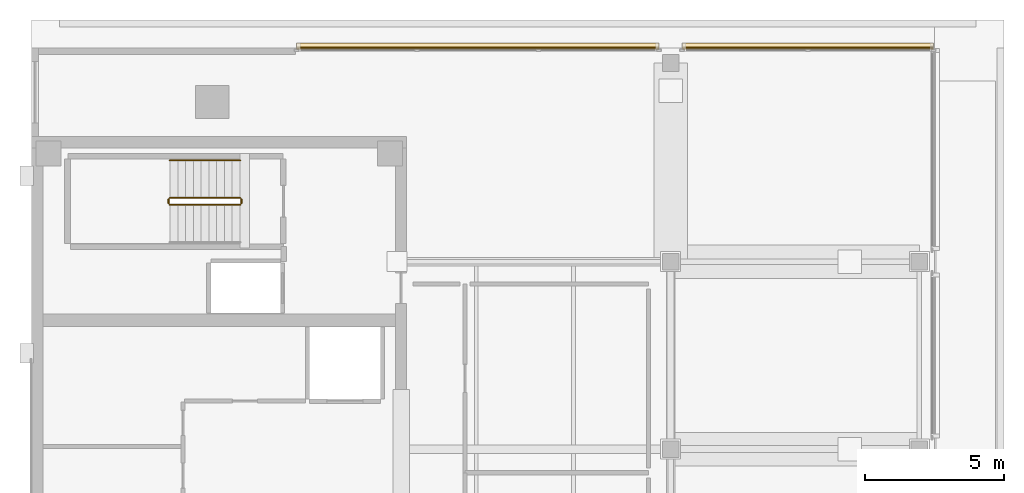
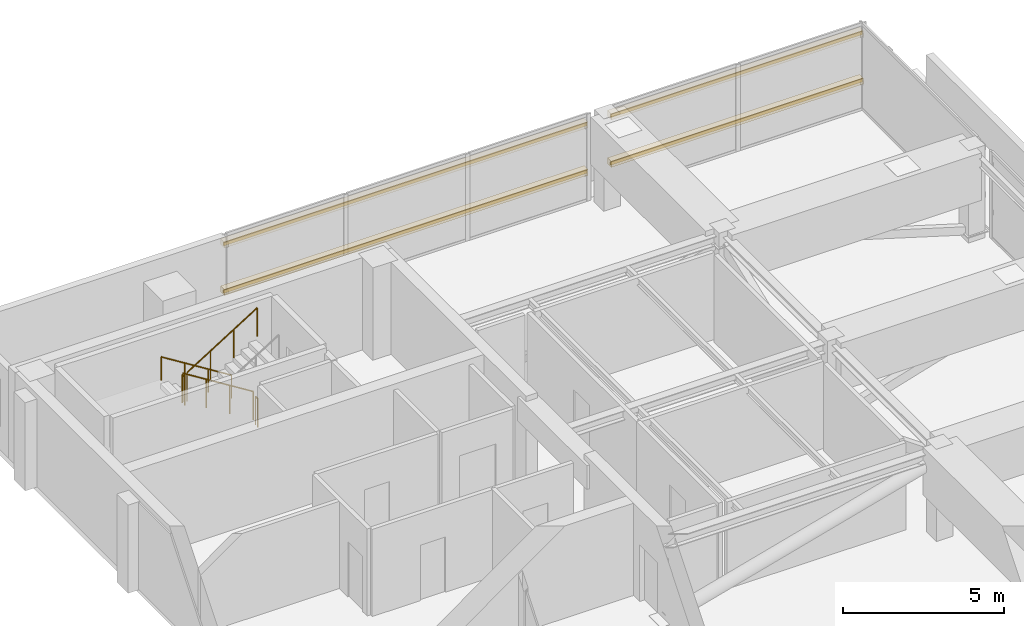
# One storey, part 9 of 10: 5 railings, 4 coverings, 4 shading devices.
"""IFC4 building model written with IfcOpenShell, lengths in metres."""

from ifc_helpers import new_model, si_unit, direction, frame, origin, origin_2d, place, context, subcontext, project, spatial, polyline, rectangle, circle, outline, extrude, material, layer, layer_set, material_profile, profile_set, type_object, element, save


model = new_model("IFC4")

# Units and contexts
model_context = context("Model", 3, precision=1e-05, world=origin(), true_north=direction((0.0, 1.0)))
body_context = subcontext(model_context, "Body", "Model", "MODEL_VIEW")
ifc_project = project(units=[si_unit("LENGTHUNIT", "METRE"), si_unit("AREAUNIT", "SQUARE_METRE"), si_unit("VOLUMEUNIT", "CUBIC_METRE"), si_unit("PLANEANGLEUNIT", "RADIAN"), si_unit("MASSUNIT", "GRAM", prefix="KILO")], contexts=[model_context])

# Site, building, storey
site_placement = place(None, origin())
site = spatial("IfcSite", under=ifc_project, at=site_placement, CompositionType="ELEMENT")
building_placement = place(site_placement, origin())
building = spatial("IfcBuilding", under=site, at=building_placement, Name="Kinhvarn Gate Tower", CompositionType="ELEMENT")
storey_placement = place(building_placement, frame((0.0, 0.0, 311.050048828125)))
storey = spatial("IfcBuildingStorey", under=building, at=storey_placement, Name="L82", CompositionType="ELEMENT", Elevation=311.050048828125)

# Coverings
ifc_material_1 = material(Name="Fired architectural terracotta", Category="masonry")
ifc_layer = layer(ifc_material_1, 0.239990234375)
ifc_layer_set = layer_set([ifc_layer], Name="Fired architectural terracotta")
covering_type = type_object("IfcCoveringType", Name="COV-BAG-220", PredefinedType="CLADDING", material=ifc_layer_set)
for number, where, name in (
    (1, (0.0, 0.0, 0.93994140625), "Terracotta Horizontal Sunscreen Band TBG-220 (L82)"),
    (2, (0.0, 0.0, 2.739990234375), "Terracotta Horizontal Sunscreen Band TBG-220 (L82)"),
):
    element("IfcCovering", number, at=place(storey_placement, frame(where)), inside=storey, type_object=covering_type, Name=name, PredefinedType="CLADDING", context=body_context, shape_type="SweptSolid", body=[
        extrude(outline(polyline([(36.9599609375, 39.6298828125), (27.919921875, 39.6298828125), (27.919921875, 39.8701171875), (36.9599609375, 39.8701171875), (36.9599609375, 39.6298828125)])), origin(), (0.0, 0.0, 1.0), 0.219970703125),
    ])
for number, where, name in (
    (3, (0.0, 0.0, 0.93994140625), "Terracotta Horizontal Sunscreen Band TBG-220 (L82)"),
    (4, (0.0, 0.0, 2.739990234375), "Terracotta Horizontal Sunscreen Band TBG-220 (L82)"),
):
    element("IfcCovering", number, at=place(storey_placement, frame(where)), inside=storey, type_object=covering_type, Name=name, PredefinedType="CLADDING", context=body_context, shape_type="SweptSolid", body=[
        extrude(outline(polyline([(27.080078125, 39.6298828125), (14.0400390625, 39.6298828125), (14.0400390625, 39.8701171875), (27.080078125, 39.8701171875), (27.080078125, 39.6298828125)])), origin(), (0.0, 0.0, 1.0), 0.219970703125),
    ])

# Railings
ifc_material_2 = material(Name="Steel S355", Category="steel")
railing_type_1 = type_object("IfcRailingType", Name="RL-ST-GRD", PredefinedType="BALUSTRADE", material=ifc_material_2)
railing_1_placement = place(storey_placement, frame((12.0, 34.300048828125, 0.175048828125)))
element("IfcRailing", 5, at=railing_1_placement, inside=storey, type_object=railing_type_1, Name="L82 ST2 stair guard 1", PredefinedType="BALUSTRADE", context=body_context, shape_type="SweptSolid", body=[
    extrude(circle(Radius=0.02392578125, at=origin_2d()), frame((0.0, 0.0, 1.076171875), z_axis=(-0.848007534815, 0.0, 0.529984170421), x_axis=(0.0, -1.0, 0.0)), (0.0, 0.0, 1.0), 2.9716796875),
    extrude(circle(Radius=0.02099609375, at=origin_2d()), origin(), (0.0, 0.0, 1.0), 1.052001953125),
    extrude(circle(Radius=0.02099609375, at=origin_2d()), frame((-0.840087890625, 0.0, 0.52490234375)), (0.0, 0.0, 1.0), 1.052001953125),
    extrude(circle(Radius=0.02099609375, at=origin_2d()), frame((-1.679931640625, 0.0, 1.050048828125)), (0.0, 0.0, 1.0), 1.052001953125),
    extrude(circle(Radius=0.02099609375, at=origin_2d()), frame((-2.52001953125, 0.0, 1.574951171875)), (0.0, 0.0, 1.0), 1.052001953125),
])
railing_2_placement = place(storey_placement, frame((9.429931640625, 34.25, 1.75)))
element("IfcRailing", 6, at=railing_2_placement, inside=storey, type_object=railing_type_1, Name="L82 ST2 stair guard 2", PredefinedType="BALUSTRADE", context=body_context, shape_type="SweptSolid", body=[
    extrude(circle(Radius=0.02392578125, at=origin_2d()), frame((0.0, 0.0, 1.076171875), z_axis=(0.0, -1.0, 0.0), x_axis=(1.0, 0.0, 0.0)), (0.0, 0.0, 1.0), 0.14990234375),
    extrude(circle(Radius=0.02099609375, at=origin_2d()), origin(), (0.0, 0.0, 1.0), 1.052001953125),
    extrude(circle(Radius=0.02099609375, at=origin_2d()), frame((0.0, -0.14990234375, 0.0)), (0.0, 0.0, 1.0), 1.052001953125),
])
railing_3_placement = place(storey_placement, frame((9.47998046875, 34.050048828125, 1.925048828125)))
element("IfcRailing", 7, at=railing_3_placement, inside=storey, type_object=railing_type_1, Name="L82 ST2 stair guard 3", PredefinedType="BALUSTRADE", context=body_context, shape_type="SweptSolid", body=[
    extrude(circle(Radius=0.02392578125, at=origin_2d()), frame((0.0, 0.0, 1.076171875), z_axis=(0.848007534815, 0.0, 0.529984170421), x_axis=(0.0, 1.0, 0.0)), (0.0, 0.0, 1.0), 2.9716796875),
    extrude(circle(Radius=0.02099609375, at=origin_2d()), origin(), (0.0, 0.0, 1.0), 1.052001953125),
    extrude(circle(Radius=0.02099609375, at=origin_2d()), frame((0.840087890625, 0.0, 0.52490234375)), (0.0, 0.0, 1.0), 1.052001953125),
    extrude(circle(Radius=0.02099609375, at=origin_2d()), frame((1.679931640625, 0.0, 1.050048828125)), (0.0, 0.0, 1.0), 1.052001953125),
    extrude(circle(Radius=0.02099609375, at=origin_2d()), frame((2.52001953125, 0.0, 1.574951171875)), (0.0, 0.0, 1.0), 1.052001953125),
])
railing_4_placement = place(storey_placement, frame((12.050048828125, 34.25, 0.0)))
element("IfcRailing", 8, at=railing_4_placement, inside=storey, type_object=railing_type_1, Name="L82 ST2 stair guard 4", PredefinedType="BALUSTRADE", context=body_context, shape_type="SweptSolid", body=[
    extrude(circle(Radius=0.02392578125, at=origin_2d()), frame((0.0, 0.0, 1.076171875), z_axis=(0.0, -1.0, 0.0), x_axis=(1.0, 0.0, 0.0)), (0.0, 0.0, 1.0), 0.14990234375),
    extrude(circle(Radius=0.02099609375, at=origin_2d()), origin(), (0.0, 0.0, 1.0), 1.052001953125),
    extrude(circle(Radius=0.02099609375, at=origin_2d()), frame((0.0, -0.14990234375, 0.0)), (0.0, 0.0, 1.0), 1.052001953125),
])
railing_type_2 = type_object("IfcRailingType", Name="RL-ST-HND", PredefinedType="HANDRAIL", material=ifc_material_2)
railing_5_placement = place(storey_placement, frame((12.0, 35.64990234375, 0.175048828125)))
element("IfcRailing", 9, at=railing_5_placement, inside=storey, type_object=railing_type_2, Name="L82 ST2 stair handrail 1", PredefinedType="HANDRAIL", context=body_context, shape_type="SweptSolid", body=[
    extrude(circle(Radius=0.02392578125, at=origin_2d()), frame((0.0, 0.0, 0.8759765625), z_axis=(-0.848007534815, 0.0, 0.529984170421), x_axis=(0.0, -1.0, 0.0)), (0.0, 0.0, 1.0), 2.9716796875),
    extrude(circle(Radius=0.02099609375, at=origin_2d()), origin(), (0.0, 0.0, 1.0), 0.851806640625),
    extrude(circle(Radius=0.02099609375, at=origin_2d()), frame((-0.840087890625, 0.0, 0.52490234375)), (0.0, 0.0, 1.0), 0.851806640625),
    extrude(circle(Radius=0.02099609375, at=origin_2d()), frame((-1.679931640625, 0.0, 1.050048828125)), (0.0, 0.0, 1.0), 0.851806640625),
    extrude(circle(Radius=0.02099609375, at=origin_2d()), frame((-2.52001953125, 0.0, 1.574951171875)), (0.0, 0.0, 1.0), 0.851806640625),
])

# Shading devices
ifc_material_profile = material_profile(ifc_material_1, rectangle(XDim=0.050048828125, YDim=0.1201171875, at=origin_2d()), Name="TC 50x120")
ifc_profile_set = profile_set([ifc_material_profile], Name="Fired architectural terracotta")
shading_device_type = type_object("IfcShadingDeviceType", Name="SHD-BAG-140", PredefinedType="USERDEFINED", material=ifc_profile_set)
for number, where, z_axis, x_axis, name in (
    (10, (36.9599609375, 39.699951171875, 1.050048828125), (-1.0, 0.0, 0.0), (0.0, -1.0, 0.0), "Upper Tower Terracotta Baguette Screen Rod 50x120 mm (L82)"),
    (11, (36.9599609375, 39.699951171875, 2.849853515625), (-1.0, 0.0, 0.0), (0.0, -1.0, 0.0), "Upper Tower Terracotta Baguette Screen Rod 50x120 mm (L82)"),
):
    element("IfcShadingDevice", number, at=place(storey_placement, frame(where, z_axis=z_axis, x_axis=x_axis)), inside=storey, type_object=shading_device_type, Name=name, ObjectType="BAGUETTE", PredefinedType="USERDEFINED", context=body_context, shape_type="SweptSolid", body=[
        extrude(rectangle(XDim=0.050048828125, YDim=0.1201171875, at=origin_2d()), origin(), (0.0, 0.0, 1.0), 9.0400390625),
    ])
for number, where, z_axis, x_axis, name in (
    (12, (27.080078125, 39.699951171875, 1.050048828125), (-1.0, 0.0, 0.0), (0.0, -1.0, 0.0), "Upper Tower Terracotta Baguette Screen Rod 50x120 mm (L82)"),
    (13, (27.080078125, 39.699951171875, 2.849853515625), (-1.0, 0.0, 0.0), (0.0, -1.0, 0.0), "Upper Tower Terracotta Baguette Screen Rod 50x120 mm (L82)"),
):
    element("IfcShadingDevice", number, at=place(storey_placement, frame(where, z_axis=z_axis, x_axis=x_axis)), inside=storey, type_object=shading_device_type, Name=name, ObjectType="BAGUETTE", PredefinedType="USERDEFINED", context=body_context, shape_type="SweptSolid", body=[
        extrude(rectangle(XDim=0.050048828125, YDim=0.1201171875, at=origin_2d()), origin(), (0.0, 0.0, 1.0), 13.0400390625),
    ])

save(model, "model.ifc")
